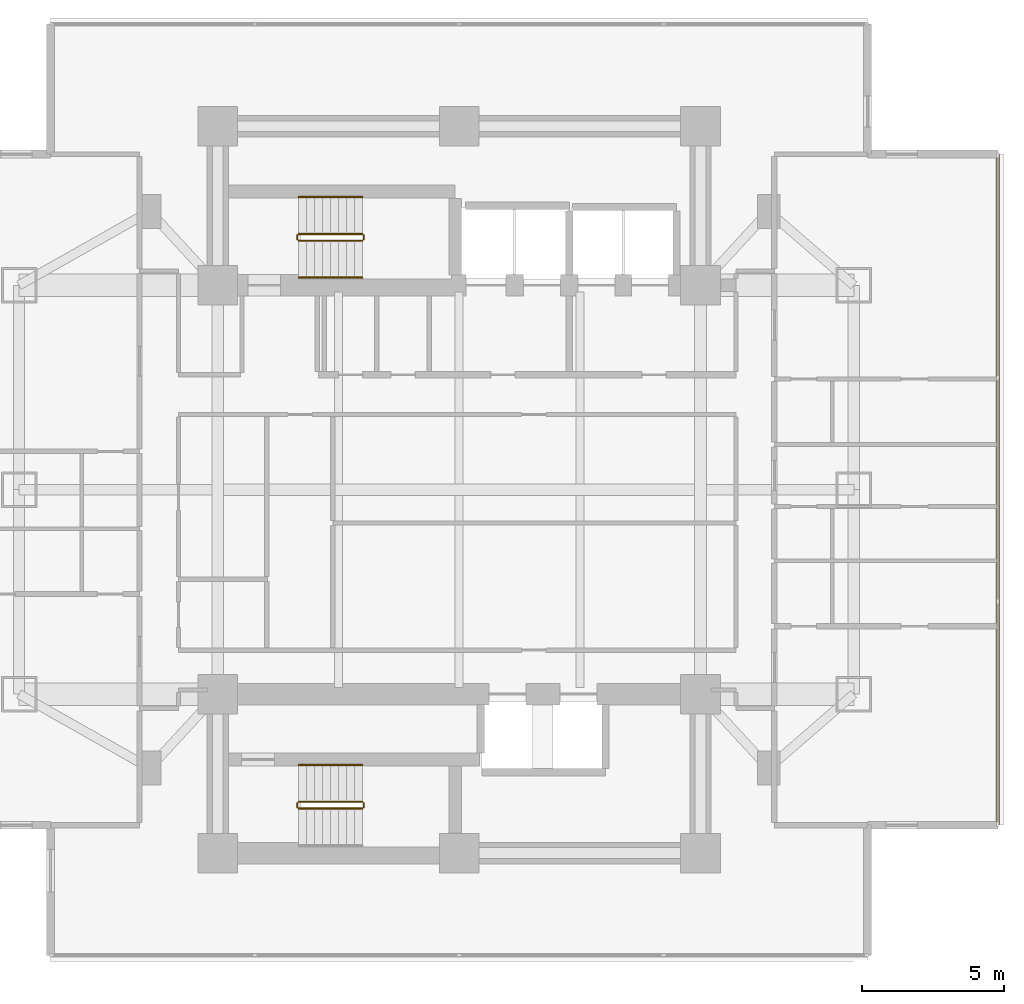
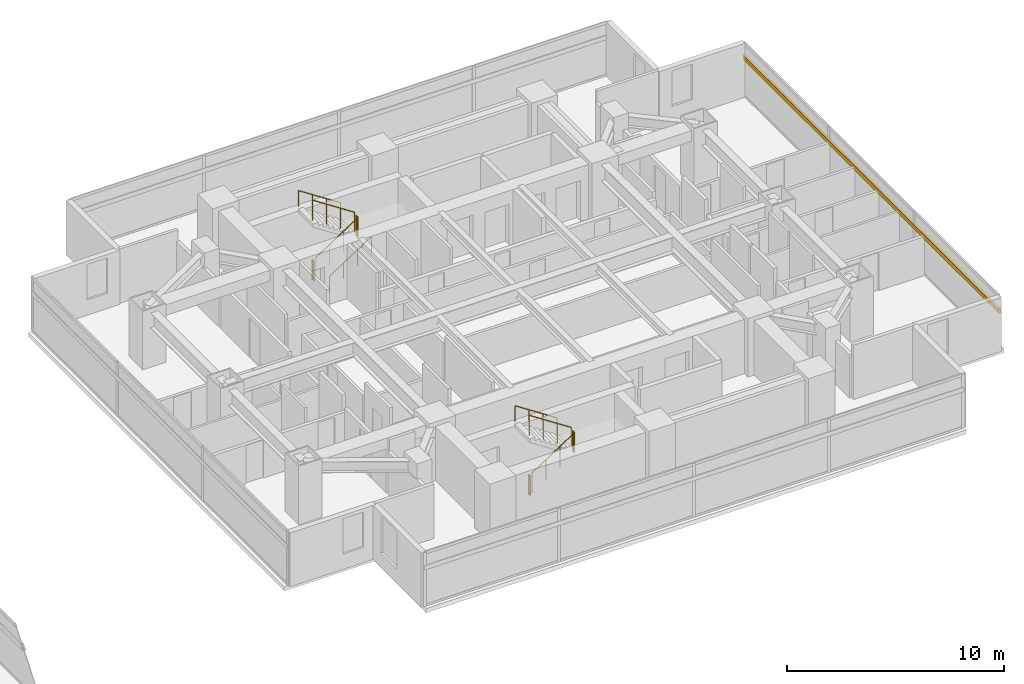
# One storey, part 25 of 26: 11 railings, 1 shading device.
"""IFC4 building model written with IfcOpenShell, lengths in metres."""

from ifc_helpers import new_model, si_unit, direction, frame, origin, origin_2d, place, context, subcontext, project, spatial, rectangle, circle, extrude, material, material_profile, profile_set, type_object, element, save


model = new_model("IFC4")

# Units and contexts
model_context = context("Model", 3, precision=1e-05, world=origin(), true_north=direction((0.0, 1.0)))
body_context = subcontext(model_context, "Body", "Model", "MODEL_VIEW")
ifc_project = project(units=[si_unit("LENGTHUNIT", "METRE"), si_unit("AREAUNIT", "SQUARE_METRE"), si_unit("VOLUMEUNIT", "CUBIC_METRE"), si_unit("PLANEANGLEUNIT", "RADIAN"), si_unit("MASSUNIT", "GRAM", prefix="KILO")], contexts=[model_context])

# Site, building, storey
site_placement = place(None, origin())
site = spatial("IfcSite", under=ifc_project, at=site_placement, CompositionType="ELEMENT")
building_placement = place(site_placement, origin())
building = spatial("IfcBuilding", under=site, at=building_placement, Name="Mirazonda Arch Towers", CompositionType="ELEMENT")
storey_placement = place(building_placement, frame((0.0, 0.0, 38.89990234375)))
storey = spatial("IfcBuildingStorey", under=building, at=storey_placement, Name="L10", CompositionType="ELEMENT", Elevation=38.89990234375)

# Shading device
ifc_material_1 = material(Name="Kiln-Fired Architectural Terracotta", Category="masonry")
ifc_material_profile = material_profile(ifc_material_1, rectangle(XDim=0.1201171875, YDim=0.239990234375, at=origin_2d()), Name="TERRA-BAG-120x240")
ifc_profile_set = profile_set([ifc_material_profile], Name="Kiln-Fired Architectural Terracotta")
shading_device_type = type_object("IfcShadingDeviceType", Name="BAGUETTE-1", PredefinedType="USERDEFINED", material=ifc_profile_set)
shading_device_placement = place(storey_placement, frame((95.469970703125, 16.18359375, 2.18896484375), z_axis=(0.0, 1.0, 0.0), x_axis=(-1.0, 0.0, 0.0)))
element("IfcShadingDevice", 1, at=shading_device_placement, inside=storey, type_object=shading_device_type, Name="L10 Glazed Terracotta Sun-Screen Baguette CW-L10-T2-E", ObjectType="BAGUETTE", PredefinedType="USERDEFINED", context=body_context, shape_type="SweptSolid", body=[
    extrude(rectangle(XDim=0.1201171875, YDim=0.239990234375, at=origin_2d()), origin(), (0.0, 0.0, 1.0), 23.6328125),
])

# Railings
ifc_material_2 = material(Name="Architectural Brushed Steel S355", Category="steel")
railing_type_1 = type_object("IfcRailingType", Name="GUARD-STAIR-1120", PredefinedType="GUARDRAIL", material=ifc_material_2)
railing_1_placement = place(storey_placement, frame((70.85009765625, 36.77001953125, 0.183349609375)))
element("IfcRailing", 2, at=railing_1_placement, inside=storey, type_object=railing_type_1, Name="L10 ST-T2N stair guard 1", PredefinedType="GUARDRAIL", context=body_context, shape_type="SweptSolid", body=[
    extrude(circle(Radius=0.02392578125, at=origin_2d()), frame((0.0, 0.0, 1.1259765625), z_axis=(0.836595146698, 0.0, 0.547821650285), x_axis=(0.0, 1.0, 0.0)), (0.0, 0.0, 1.0), 2.677490234375),
    extrude(circle(Radius=0.02099609375, at=origin_2d()), origin(), (0.0, 0.0, 1.0), 1.101806640625),
    extrude(circle(Radius=0.02099609375, at=origin_2d()), frame((0.74658203125, 0.0, 0.489013671875)), (0.0, 0.0, 1.0), 1.101806640625),
    extrude(circle(Radius=0.02099609375, at=origin_2d()), frame((1.493408203125, 0.0, 0.977783203125)), (0.0, 0.0, 1.0), 1.101806640625),
    extrude(circle(Radius=0.02099609375, at=origin_2d()), frame((2.239990234375, 0.0, 1.466796875)), (0.0, 0.0, 1.0), 1.101806640625),
])
railing_2_placement = place(storey_placement, frame((73.139892578125, 36.820068359375, 1.650146484375)))
element("IfcRailing", 3, at=railing_2_placement, inside=storey, type_object=railing_type_1, Name="L10 ST-T2N stair guard 2", PredefinedType="GUARDRAIL", context=body_context, shape_type="SweptSolid", body=[
    extrude(circle(Radius=0.02392578125, at=origin_2d()), frame((0.0, 0.0, 1.1259765625), z_axis=(0.0, 1.0, 0.0), x_axis=(-1.0, 0.0, 0.0)), (0.0, 0.0, 1.0), 0.139892578125),
    extrude(circle(Radius=0.02099609375, at=origin_2d()), origin(), (0.0, 0.0, 1.0), 1.101806640625),
    extrude(circle(Radius=0.02099609375, at=origin_2d()), frame((0.0, 0.139892578125, 0.0)), (0.0, 0.0, 1.0), 1.101806640625),
])
railing_3_placement = place(storey_placement, frame((73.090087890625, 37.010009765625, 1.83349609375)))
element("IfcRailing", 4, at=railing_3_placement, inside=storey, type_object=railing_type_1, Name="L10 ST-T2N stair guard 3", PredefinedType="GUARDRAIL", context=body_context, shape_type="SweptSolid", body=[
    extrude(circle(Radius=0.02392578125, at=origin_2d()), frame((0.0, 0.0, 1.1259765625), z_axis=(-0.836636935527, 0.0, 0.547757827979), x_axis=(0.0, -1.0, 0.0)), (0.0, 0.0, 1.0), 2.677490234375),
    extrude(circle(Radius=0.02099609375, at=origin_2d()), origin(), (0.0, 0.0, 1.0), 1.101806640625),
    extrude(circle(Radius=0.02099609375, at=origin_2d()), frame((-0.74658203125, 0.0, 0.48876953125)), (0.0, 0.0, 1.0), 1.101806640625),
    extrude(circle(Radius=0.02099609375, at=origin_2d()), frame((-1.493408203125, 0.0, 0.977783203125)), (0.0, 0.0, 1.0), 1.101806640625),
    extrude(circle(Radius=0.02099609375, at=origin_2d()), frame((-2.239990234375, 0.0, 1.466552734375)), (0.0, 0.0, 1.0), 1.101806640625),
])
railing_4_placement = place(storey_placement, frame((70.800048828125, 36.820068359375, 0.0)))
element("IfcRailing", 5, at=railing_4_placement, inside=storey, type_object=railing_type_1, Name="L10 ST-T2N stair guard 4", PredefinedType="GUARDRAIL", context=body_context, shape_type="SweptSolid", body=[
    extrude(circle(Radius=0.02392578125, at=origin_2d()), frame((0.0, 0.0, 1.1259765625), z_axis=(0.0, 1.0, 0.0), x_axis=(-1.0, 0.0, 0.0)), (0.0, 0.0, 1.0), 0.139892578125),
    extrude(circle(Radius=0.02099609375, at=origin_2d()), origin(), (0.0, 0.0, 1.0), 1.101806640625),
    extrude(circle(Radius=0.02099609375, at=origin_2d()), frame((0.0, 0.139892578125, 0.0)), (0.0, 0.0, 1.0), 1.101806640625),
])
railing_5_placement = place(storey_placement, frame((70.85009765625, 16.77001953125, 0.183349609375)))
element("IfcRailing", 6, at=railing_5_placement, inside=storey, type_object=railing_type_1, Name="L10 ST-T2S stair guard 1", PredefinedType="GUARDRAIL", context=body_context, shape_type="SweptSolid", body=[
    extrude(circle(Radius=0.02392578125, at=origin_2d()), frame((0.0, 0.0, 1.1259765625), z_axis=(0.836595146698, 0.0, 0.547821650285), x_axis=(0.0, 1.0, 0.0)), (0.0, 0.0, 1.0), 2.677490234375),
    extrude(circle(Radius=0.02099609375, at=origin_2d()), origin(), (0.0, 0.0, 1.0), 1.101806640625),
    extrude(circle(Radius=0.02099609375, at=origin_2d()), frame((0.74658203125, 0.0, 0.489013671875)), (0.0, 0.0, 1.0), 1.101806640625),
    extrude(circle(Radius=0.02099609375, at=origin_2d()), frame((1.493408203125, 0.0, 0.977783203125)), (0.0, 0.0, 1.0), 1.101806640625),
    extrude(circle(Radius=0.02099609375, at=origin_2d()), frame((2.239990234375, 0.0, 1.466796875)), (0.0, 0.0, 1.0), 1.101806640625),
])
railing_6_placement = place(storey_placement, frame((73.139892578125, 16.820068359375, 1.650146484375)))
element("IfcRailing", 7, at=railing_6_placement, inside=storey, type_object=railing_type_1, Name="L10 ST-T2S stair guard 2", PredefinedType="GUARDRAIL", context=body_context, shape_type="SweptSolid", body=[
    extrude(circle(Radius=0.02392578125, at=origin_2d()), frame((0.0, 0.0, 1.1259765625), z_axis=(0.0, 1.0, 0.0), x_axis=(-1.0, 0.0, 0.0)), (0.0, 0.0, 1.0), 0.139892578125),
    extrude(circle(Radius=0.02099609375, at=origin_2d()), origin(), (0.0, 0.0, 1.0), 1.101806640625),
    extrude(circle(Radius=0.02099609375, at=origin_2d()), frame((0.0, 0.139892578125, 0.0)), (0.0, 0.0, 1.0), 1.101806640625),
])
railing_7_placement = place(storey_placement, frame((73.090087890625, 17.010009765625, 1.83349609375)))
element("IfcRailing", 8, at=railing_7_placement, inside=storey, type_object=railing_type_1, Name="L10 ST-T2S stair guard 3", PredefinedType="GUARDRAIL", context=body_context, shape_type="SweptSolid", body=[
    extrude(circle(Radius=0.02392578125, at=origin_2d()), frame((0.0, 0.0, 1.1259765625), z_axis=(-0.836636935527, 0.0, 0.547757827979), x_axis=(0.0, -1.0, 0.0)), (0.0, 0.0, 1.0), 2.677490234375),
    extrude(circle(Radius=0.02099609375, at=origin_2d()), origin(), (0.0, 0.0, 1.0), 1.101806640625),
    extrude(circle(Radius=0.02099609375, at=origin_2d()), frame((-0.74658203125, 0.0, 0.48876953125)), (0.0, 0.0, 1.0), 1.101806640625),
    extrude(circle(Radius=0.02099609375, at=origin_2d()), frame((-1.493408203125, 0.0, 0.977783203125)), (0.0, 0.0, 1.0), 1.101806640625),
    extrude(circle(Radius=0.02099609375, at=origin_2d()), frame((-2.239990234375, 0.0, 1.466552734375)), (0.0, 0.0, 1.0), 1.101806640625),
])
railing_8_placement = place(storey_placement, frame((70.800048828125, 16.820068359375, 0.0)))
element("IfcRailing", 9, at=railing_8_placement, inside=storey, type_object=railing_type_1, Name="L10 ST-T2S stair guard 4", PredefinedType="GUARDRAIL", context=body_context, shape_type="SweptSolid", body=[
    extrude(circle(Radius=0.02392578125, at=origin_2d()), frame((0.0, 0.0, 1.1259765625), z_axis=(0.0, 1.0, 0.0), x_axis=(-1.0, 0.0, 0.0)), (0.0, 0.0, 1.0), 0.139892578125),
    extrude(circle(Radius=0.02099609375, at=origin_2d()), origin(), (0.0, 0.0, 1.0), 1.101806640625),
    extrude(circle(Radius=0.02099609375, at=origin_2d()), frame((0.0, 0.139892578125, 0.0)), (0.0, 0.0, 1.0), 1.101806640625),
])
railing_type_2 = type_object("IfcRailingType", Name="HANDRAIL-915", PredefinedType="HANDRAIL", material=ifc_material_2)
railing_9_placement = place(storey_placement, frame((70.85009765625, 35.469970703125, 0.183349609375)))
element("IfcRailing", 10, at=railing_9_placement, inside=storey, type_object=railing_type_2, Name="L10 ST-T2N stair handrail 1", PredefinedType="HANDRAIL", context=body_context, shape_type="SweptSolid", body=[
    extrude(circle(Radius=0.02392578125, at=origin_2d()), frame((0.0, 0.0, 0.8759765625), z_axis=(0.836595146698, 0.0, 0.547821650285), x_axis=(0.0, 1.0, 0.0)), (0.0, 0.0, 1.0), 2.677490234375),
    extrude(circle(Radius=0.02099609375, at=origin_2d()), origin(), (0.0, 0.0, 1.0), 0.851806640625),
    extrude(circle(Radius=0.02099609375, at=origin_2d()), frame((0.74658203125, 0.0, 0.489013671875)), (0.0, 0.0, 1.0), 0.851806640625),
    extrude(circle(Radius=0.02099609375, at=origin_2d()), frame((1.493408203125, 0.0, 0.977783203125)), (0.0, 0.0, 1.0), 0.851806640625),
    extrude(circle(Radius=0.02099609375, at=origin_2d()), frame((2.239990234375, 0.0, 1.466796875)), (0.0, 0.0, 1.0), 0.851806640625),
])
for number, where, name in (
    (11, (73.090087890625, 38.31005859375, 1.83349609375), "L10 ST-T2N stair handrail 2"),
    (12, (73.090087890625, 18.31005859375, 1.83349609375), "L10 ST-T2S stair handrail 2"),
):
    element("IfcRailing", number, at=place(storey_placement, frame(where)), inside=storey, type_object=railing_type_2, Name=name, PredefinedType="HANDRAIL", context=body_context, shape_type="SweptSolid", body=[
        extrude(circle(Radius=0.02392578125, at=origin_2d()), frame((0.0, 0.0, 0.8759765625), z_axis=(-0.836636935527, 0.0, 0.547757827979), x_axis=(0.0, -1.0, 0.0)), (0.0, 0.0, 1.0), 2.677490234375),
        extrude(circle(Radius=0.02099609375, at=origin_2d()), origin(), (0.0, 0.0, 1.0), 0.851806640625),
        extrude(circle(Radius=0.02099609375, at=origin_2d()), frame((-0.74658203125, 0.0, 0.48876953125)), (0.0, 0.0, 1.0), 0.851806640625),
        extrude(circle(Radius=0.02099609375, at=origin_2d()), frame((-1.493408203125, 0.0, 0.977783203125)), (0.0, 0.0, 1.0), 0.851806640625),
        extrude(circle(Radius=0.02099609375, at=origin_2d()), frame((-2.239990234375, 0.0, 1.466552734375)), (0.0, 0.0, 1.0), 0.851806640625),
    ])

save(model, "model.ifc")
